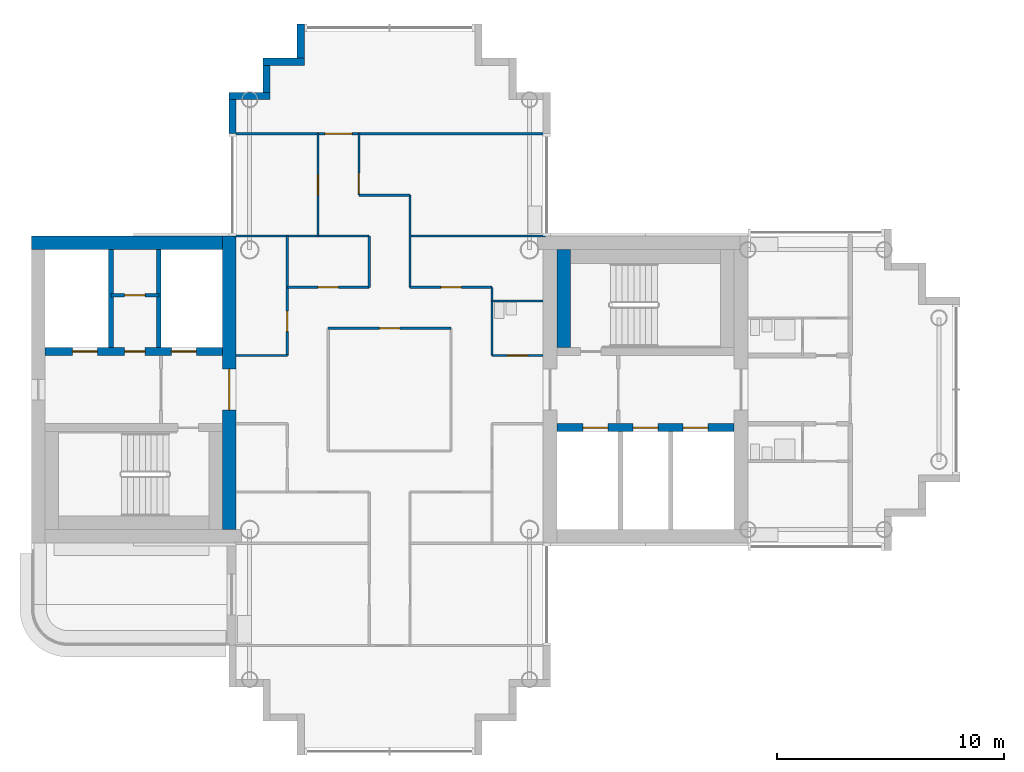
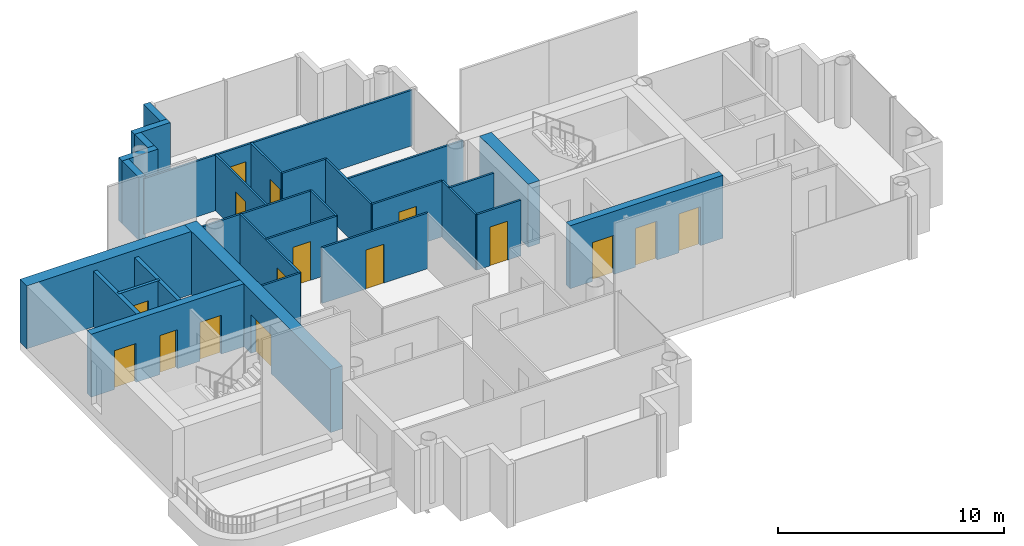
# One storey, part 7 of 18: 29 walls, 16 doors, 16 openings.
"""IFC4 building model written with IfcOpenShell, lengths in metres."""

from ifc_helpers import new_model, si_unit, direction, frame, frame_2d, origin, place, context, subcontext, project, spatial, rectangle, extrude, material, layer, layer_set, type_object, element, fill, save


model = new_model("IFC4")

# Units and contexts
model_context = context("Model", 3, precision=1e-05, world=origin(), true_north=direction((0.0, 1.0)))
body_context = subcontext(model_context, "Body", "Model", "MODEL_VIEW")
ifc_project = project(units=[si_unit("LENGTHUNIT", "METRE"), si_unit("AREAUNIT", "SQUARE_METRE"), si_unit("VOLUMEUNIT", "CUBIC_METRE"), si_unit("PLANEANGLEUNIT", "RADIAN"), si_unit("MASSUNIT", "GRAM", prefix="KILO")], contexts=[model_context])

# Site, building, storey
site_placement = place(None, origin())
site = spatial("IfcSite", under=ifc_project, at=site_placement, CompositionType="ELEMENT")
building_placement = place(site_placement, origin())
building = spatial("IfcBuilding", under=site, at=building_placement, Name="Ipe Terrace Towers", CompositionType="ELEMENT")
storey_placement = place(building_placement, frame((0.0, 0.0, 192.60009765625)))
storey = spatial("IfcBuildingStorey", under=building, at=storey_placement, Name="L53", CompositionType="ELEMENT", Elevation=192.60009765625)

# Walls
ifc_material_1 = material(Name="Concrete C40/50 with buff precast cladding", Category="concrete")
ifc_layer_1 = layer(ifc_material_1, 0.320068359375)
ifc_layer_set_1 = layer_set([ifc_layer_1], Name="BUFF CLADDING WALL 320")
wall_type_1 = type_object("IfcWallType", Name="BUFF CLADDING WALL 320", PredefinedType="STANDARD", material=ifc_layer_set_1)
wall_1_placement = place(storey_placement, frame((-39.909912109375, 16.070068359375, -0.300048828125), z_axis=(0.0, 0.0, 1.0), x_axis=(0.0, -1.0, 0.0)))
element("IfcWall", 1, at=wall_1_placement, inside=storey, type_object=wall_type_1, Name="T1-W-L53-35a wall", PredefinedType="STANDARD", context=body_context, shape_type="SweptSolid", body=[
    extrude(rectangle(XDim=1.5, YDim=0.320068359375, at=frame_2d((0.75, 0.0))), origin(), (0.0, 0.0, 1.0), 3.39990234375),
])
wall_2_placement = place(storey_placement, frame((-39.75, 14.409912109375, -0.300048828125), z_axis=(0.0, 0.0, 1.0), x_axis=(-1.0, 0.0, 0.0)))
element("IfcWall", 2, at=wall_2_placement, inside=storey, type_object=wall_type_1, Name="T1-W-L53-36a wall", PredefinedType="STANDARD", context=body_context, shape_type="SweptSolid", body=[
    extrude(rectangle(XDim=1.820068359375, YDim=0.320068359375, at=frame_2d((0.91015625, 0.0))), origin(), (0.0, 0.0, 1.0), 3.39990234375),
])
wall_3_placement = place(storey_placement, frame((-41.409912109375, 14.25, -0.300048828125), z_axis=(0.0, 0.0, 1.0), x_axis=(0.0, -1.0, 0.0)))
element("IfcWall", 3, at=wall_3_placement, inside=storey, type_object=wall_type_1, Name="T1-W-L53-37a wall", PredefinedType="STANDARD", context=body_context, shape_type="SweptSolid", body=[
    extrude(rectangle(XDim=1.179931640625, YDim=0.320068359375, at=frame_2d((0.58984375, 0.0))), origin(), (0.0, 0.0, 1.0), 3.39990234375),
])
wall_4_placement = place(storey_placement, frame((-41.25, 12.909912109375, -0.300048828125), z_axis=(0.0, 0.0, 1.0), x_axis=(-1.0, 0.0, 0.0)))
element("IfcWall", 4, at=wall_4_placement, inside=storey, type_object=wall_type_1, Name="T1-W-L53-38a wall", PredefinedType="STANDARD", context=body_context, shape_type="SweptSolid", body=[
    extrude(rectangle(XDim=1.820068359375, YDim=0.320068359375, at=frame_2d((0.91015625, 0.0))), origin(), (0.0, 0.0, 1.0), 3.39990234375),
])
wall_5_placement = place(storey_placement, frame((-42.909912109375, 12.75, -0.300048828125), z_axis=(0.0, 0.0, 1.0), x_axis=(0.0, -1.0, 0.0)))
element("IfcWall", 5, at=wall_5_placement, inside=storey, type_object=wall_type_1, Name="T1-W-L53-39a wall", PredefinedType="STANDARD", context=body_context, shape_type="SweptSolid", body=[
    extrude(rectangle(XDim=1.5, YDim=0.320068359375, at=frame_2d((0.75, 0.0))), origin(), (0.0, 0.0, 1.0), 3.39990234375),
])

# Wall, opening, door
ifc_material_2 = material(Name="Gypsum board partition", Category="plasterboard")
ifc_layer_2 = layer(ifc_material_2, 0.10009765625)
ifc_layer_set_2 = layer_set([ifc_layer_2], Name="Gypsum board partition 100 mm")
wall_type_2 = type_object("IfcWallType", Name="Gypsum board partition 100 mm", PredefinedType="PARTITIONING", material=ifc_layer_set_2)
wall_6_placement = place(storey_placement, frame((-40.5, 1.5, 0.0), z_axis=(0.0, 0.0, 1.0), x_axis=(0.0, 1.0, 0.0)))
wall_6 = element("IfcWall", 6, at=wall_6_placement, inside=storey, type_object=wall_type_2, Name="Gypsum board partition T1 L53 W02", PredefinedType="PARTITIONING", context=body_context, shape_type="SweptSolid", body=[
    extrude(rectangle(XDim=5.25, YDim=0.10009765625, at=frame_2d((2.625, 0.0))), origin(), (0.0, 0.0, 1.0), 3.0),
])
opening_1_placement = place(wall_6_placement, frame((1.050048828125, 0.0, 0.0)))
opening_1 = element("IfcOpeningElement", 7, at=opening_1_placement, cuts=wall_6, Name="Opening T1-Z4C-05", PredefinedType="OPENING", context=body_context, shape_type="SweptSolid", body=[
    extrude(rectangle(XDim=0.89990234375, YDim=2.10009765625, at=frame_2d((0.449951171875, 1.050048828125))), frame((0.0, 0.06005859375, 0.0), z_axis=(0.0, -1.0, 0.0), x_axis=(1.0, 0.0, 0.0)), (0.0, 0.0, 1.0), 0.1201171875),
])
ifc_material_3 = material(Name="Timber door leaf", Category="wood")
door_type_1 = type_object("IfcDoorType", Name="Lounge door 900 x 2100", OperationType="NOTDEFINED", PredefinedType="DOOR", material=ifc_material_3)
door_1_placement = place(opening_1_placement, origin())
door_1 = element("IfcDoor", 8, at=door_1_placement, inside=storey, type_object=door_type_1, Name="Lounge door T1-Z4C-05", OperationType="SINGLE_SWING_RIGHT", OverallHeight=2.10009765625, OverallWidth=0.89990234375, PredefinedType="DOOR", context=body_context, shape_type="SweptSolid", body=[
    extrude(rectangle(XDim=0.89990234375, YDim=2.10009765625, at=frame_2d((0.449951171875, 1.050048828125))), frame((0.0, 0.02490234375, 0.0), z_axis=(0.0, -1.0, 0.0), x_axis=(1.0, 0.0, 0.0)), (0.0, 0.0, 1.0), 0.050048828125),
])
fill(opening_1, door_1)

wall_7_placement = place(storey_placement, frame((-39.14990234375, 6.75, 0.0), z_axis=(0.0, 0.0, 1.0), x_axis=(0.0, 1.0, 0.0)))
wall_7 = element("IfcWall", 9, at=wall_7_placement, inside=storey, type_object=wall_type_2, Name="Gypsum board partition T1 L53 W03", PredefinedType="PARTITIONING", context=body_context, shape_type="SweptSolid", body=[
    extrude(rectangle(XDim=4.5, YDim=0.10009765625, at=frame_2d((2.25, 0.0))), origin(), (0.0, 0.0, 1.0), 3.0),
])
opening_2_placement = place(wall_7_placement, frame((1.800048828125, 0.0, 0.0)))
opening_2 = element("IfcOpeningElement", 10, at=opening_2_placement, cuts=wall_7, Name="Opening T1-Z4C-10", PredefinedType="OPENING", context=body_context, shape_type="SweptSolid", body=[
    extrude(rectangle(XDim=0.89990234375, YDim=2.10009765625, at=frame_2d((0.449951171875, 1.050048828125))), frame((0.0, 0.06005859375, 0.0), z_axis=(0.0, -1.0, 0.0), x_axis=(1.0, 0.0, 0.0)), (0.0, 0.0, 1.0), 0.1201171875),
])
door_2_placement = place(opening_2_placement, origin())
door_2 = element("IfcDoor", 11, at=door_2_placement, inside=storey, type_object=door_type_1, Name="Lounge door T1-Z4C-10", OperationType="SINGLE_SWING_LEFT", OverallHeight=2.10009765625, OverallWidth=0.89990234375, PredefinedType="DOOR", context=body_context, shape_type="SweptSolid", body=[
    extrude(rectangle(XDim=0.89990234375, YDim=2.10009765625, at=frame_2d((0.449951171875, 1.050048828125))), frame((0.0, 0.02490234375, 0.0), z_axis=(0.0, -1.0, 0.0), x_axis=(1.0, 0.0, 0.0)), (0.0, 0.0, 1.0), 0.050048828125),
])
fill(opening_2, door_2)

wall_8_placement = place(storey_placement, frame((-37.35009765625, 8.550048828125, 0.0), z_axis=(0.0, 0.0, 1.0), x_axis=(0.0, 1.0, 0.0)))
wall_8 = element("IfcWall", 12, at=wall_8_placement, inside=storey, type_object=wall_type_2, Name="Gypsum board partition T1 L53 W05", PredefinedType="PARTITIONING", context=body_context, shape_type="SweptSolid", body=[
    extrude(rectangle(XDim=2.699951171875, YDim=0.10009765625, at=frame_2d((1.35009765625, 0.0))), origin(), (0.0, 0.0, 1.0), 3.0),
])
opening_3_placement = place(wall_8_placement, frame((0.070068359375, 0.0, 0.0)))
opening_3 = element("IfcOpeningElement", 13, at=opening_3_placement, cuts=wall_8, Name="Opening T1-Z4C-11", PredefinedType="OPENING", context=body_context, shape_type="SweptSolid", body=[
    extrude(rectangle(XDim=0.89990234375, YDim=2.10009765625, at=frame_2d((0.449951171875, 1.050048828125))), frame((0.0, 0.06005859375, 0.0), z_axis=(0.0, -1.0, 0.0), x_axis=(1.0, 0.0, 0.0)), (0.0, 0.0, 1.0), 0.1201171875),
])
door_3_placement = place(opening_3_placement, origin())
door_3 = element("IfcDoor", 14, at=door_3_placement, inside=storey, type_object=door_type_1, Name="Lounge door T1-Z4C-11", OperationType="SINGLE_SWING_LEFT", OverallHeight=2.10009765625, OverallWidth=0.89990234375, PredefinedType="DOOR", context=body_context, shape_type="SweptSolid", body=[
    extrude(rectangle(XDim=0.89990234375, YDim=2.10009765625, at=frame_2d((0.449951171875, 1.050048828125))), frame((0.0, 0.02490234375, 0.0), z_axis=(0.0, -1.0, 0.0), x_axis=(1.0, 0.0, 0.0)), (0.0, 0.0, 1.0), 0.050048828125),
])
fill(opening_3, door_3)

# Walls
wall_9_placement = place(storey_placement, frame((-36.89990234375, 4.5, 0.0), z_axis=(0.0, 0.0, 1.0), x_axis=(0.0, 1.0, 0.0)))
element("IfcWall", 15, at=wall_9_placement, inside=storey, type_object=wall_type_2, Name="Gypsum board partition T1 L53 W07", PredefinedType="PARTITIONING", context=body_context, shape_type="SweptSolid", body=[
    extrude(rectangle(XDim=2.25, YDim=0.10009765625, at=frame_2d((1.125, 0.0))), origin(), (0.0, 0.0, 1.0), 3.0),
])
wall_10_placement = place(storey_placement, frame((-35.10009765625, 4.5, 0.0), z_axis=(0.0, 0.0, 1.0), x_axis=(0.0, 1.0, 0.0)))
element("IfcWall", 16, at=wall_10_placement, inside=storey, type_object=wall_type_2, Name="Gypsum board partition T1 L53 W09", PredefinedType="PARTITIONING", context=body_context, shape_type="SweptSolid", body=[
    extrude(rectangle(XDim=4.050048828125, YDim=0.10009765625, at=frame_2d((2.02490234375, 0.0))), origin(), (0.0, 0.0, 1.0), 3.0),
])
wall_11_placement = place(storey_placement, frame((-31.5, 1.5, 0.0), z_axis=(0.0, 0.0, 1.0), x_axis=(0.0, 1.0, 0.0)))
element("IfcWall", 17, at=wall_11_placement, inside=storey, type_object=wall_type_2, Name="Gypsum board partition T1 L53 W12", PredefinedType="PARTITIONING", context=body_context, shape_type="SweptSolid", body=[
    extrude(rectangle(XDim=3.0, YDim=0.10009765625, at=frame_2d((1.5, 0.0))), origin(), (0.0, 0.0, 1.0), 3.0),
])
wall_12_placement = place(storey_placement, frame((-42.75, 1.5, 0.0), z_axis=(0.0, 0.0, 1.0), x_axis=(1.0, 0.0, 0.0)))
element("IfcWall", 18, at=wall_12_placement, inside=storey, type_object=wall_type_2, Name="Gypsum board partition T1 L53 W28", PredefinedType="PARTITIONING", context=body_context, shape_type="SweptSolid", body=[
    extrude(rectangle(XDim=2.25, YDim=0.10009765625, at=frame_2d((1.125, 0.0))), origin(), (0.0, 0.0, 1.0), 3.0),
])

# Wall, opening, door
wall_13_placement = place(storey_placement, frame((-31.5, 1.5, 0.0), z_axis=(0.0, 0.0, 1.0), x_axis=(1.0, 0.0, 0.0)))
wall_13 = element("IfcWall", 19, at=wall_13_placement, inside=storey, type_object=wall_type_2, Name="Gypsum board partition T1 L53 W29", PredefinedType="PARTITIONING", context=body_context, shape_type="SweptSolid", body=[
    extrude(rectangle(XDim=2.25, YDim=0.10009765625, at=frame_2d((1.125, 0.0))), origin(), (0.0, 0.0, 1.0), 3.0),
])
opening_4_placement = place(wall_13_placement, frame((0.675048828125, 0.0, 0.0)))
opening_4 = element("IfcOpeningElement", 20, at=opening_4_placement, cuts=wall_13, Name="Opening T1-Z4C-02", PredefinedType="OPENING", context=body_context, shape_type="SweptSolid", body=[
    extrude(rectangle(XDim=0.89990234375, YDim=2.10009765625, at=frame_2d((0.449951171875, 1.050048828125))), frame((0.0, 0.06005859375, 0.0), z_axis=(0.0, -1.0, 0.0), x_axis=(1.0, 0.0, 0.0)), (0.0, 0.0, 1.0), 0.1201171875),
])
ifc_material_4 = material(Name="Timber door leaf", Category="wood")
door_type_2 = type_object("IfcDoorType", Name="Bathroom door 900 x 2100", OperationType="NOTDEFINED", PredefinedType="DOOR", material=ifc_material_4)
door_4_placement = place(opening_4_placement, origin())
door_4 = element("IfcDoor", 21, at=door_4_placement, inside=storey, type_object=door_type_2, Name="Bathroom door T1-Z4C-02", OperationType="SINGLE_SWING_LEFT", OverallHeight=2.10009765625, OverallWidth=0.89990234375, PredefinedType="DOOR", context=body_context, shape_type="SweptSolid", body=[
    extrude(rectangle(XDim=0.89990234375, YDim=2.10009765625, at=frame_2d((0.449951171875, 1.050048828125))), frame((0.0, 0.02490234375, 0.0), z_axis=(0.0, -1.0, 0.0), x_axis=(1.0, 0.0, 0.0)), (0.0, 0.0, 1.0), 0.050048828125),
])
fill(opening_4, door_4)

wall_14_placement = place(storey_placement, frame((-38.699951171875, 2.699951171875, 0.0), z_axis=(0.0, 0.0, 1.0), x_axis=(1.0, 0.0, 0.0)))
wall_14 = element("IfcWall", 22, at=wall_14_placement, inside=storey, type_object=wall_type_2, Name="Gypsum board partition T1 L53 W31", PredefinedType="PARTITIONING", context=body_context, shape_type="SweptSolid", body=[
    extrude(rectangle(XDim=5.39990234375, YDim=0.10009765625, at=frame_2d((2.699951171875, 0.0))), origin(), (0.0, 0.0, 1.0), 3.0),
])
opening_5_placement = place(wall_14_placement, frame((2.25, 0.0, 0.0)))
opening_5 = element("IfcOpeningElement", 23, at=opening_5_placement, cuts=wall_14, Name="Opening T1-Z4C-01", PredefinedType="OPENING", context=body_context, shape_type="SweptSolid", body=[
    extrude(rectangle(XDim=0.89990234375, YDim=2.10009765625, at=frame_2d((0.449951171875, 1.050048828125))), frame((0.0, 0.06005859375, 0.0), z_axis=(0.0, -1.0, 0.0), x_axis=(1.0, 0.0, 0.0)), (0.0, 0.0, 1.0), 0.1201171875),
])
door_5_placement = place(opening_5_placement, origin())
door_5 = element("IfcDoor", 24, at=door_5_placement, inside=storey, type_object=door_type_1, Name="Lounge door T1-Z4C-01", OperationType="SINGLE_SWING_RIGHT", OverallHeight=2.10009765625, OverallWidth=0.89990234375, PredefinedType="DOOR", context=body_context, shape_type="SweptSolid", body=[
    extrude(rectangle(XDim=0.89990234375, YDim=2.10009765625, at=frame_2d((0.449951171875, 1.050048828125))), frame((0.0, 0.02490234375, 0.0), z_axis=(0.0, -1.0, 0.0), x_axis=(1.0, 0.0, 0.0)), (0.0, 0.0, 1.0), 0.050048828125),
])
fill(opening_5, door_5)

# Wall
wall_15_placement = place(storey_placement, frame((-31.5, 3.89990234375, 0.0), z_axis=(0.0, 0.0, 1.0), x_axis=(1.0, 0.0, 0.0)))
element("IfcWall", 25, at=wall_15_placement, inside=storey, type_object=wall_type_2, Name="Gypsum board partition T1 L53 W33", PredefinedType="PARTITIONING", context=body_context, shape_type="SweptSolid", body=[
    extrude(rectangle(XDim=2.25, YDim=0.10009765625, at=frame_2d((1.125, 0.0))), origin(), (0.0, 0.0, 1.0), 3.0),
])

# Wall, opening, door
wall_16_placement = place(storey_placement, frame((-40.5, 4.5, 0.0), z_axis=(0.0, 0.0, 1.0), x_axis=(1.0, 0.0, 0.0)))
wall_16 = element("IfcWall", 26, at=wall_16_placement, inside=storey, type_object=wall_type_2, Name="Gypsum board partition T1 L53 W34", PredefinedType="PARTITIONING", context=body_context, shape_type="SweptSolid", body=[
    extrude(rectangle(XDim=3.60009765625, YDim=0.10009765625, at=frame_2d((1.800048828125, 0.0))), origin(), (0.0, 0.0, 1.0), 3.0),
])
opening_6_placement = place(wall_16_placement, frame((1.35009765625, 0.0, 0.0)))
opening_6 = element("IfcOpeningElement", 27, at=opening_6_placement, cuts=wall_16, Name="Opening T1-Z4C-04", PredefinedType="OPENING", context=body_context, shape_type="SweptSolid", body=[
    extrude(rectangle(XDim=0.89990234375, YDim=2.10009765625, at=frame_2d((0.449951171875, 1.050048828125))), frame((0.0, 0.06005859375, 0.0), z_axis=(0.0, -1.0, 0.0), x_axis=(1.0, 0.0, 0.0)), (0.0, 0.0, 1.0), 0.1201171875),
])
door_6_placement = place(opening_6_placement, origin())
door_6 = element("IfcDoor", 28, at=door_6_placement, inside=storey, type_object=door_type_1, Name="Lounge door T1-Z4C-04", OperationType="SINGLE_SWING_RIGHT", OverallHeight=2.10009765625, OverallWidth=0.89990234375, PredefinedType="DOOR", context=body_context, shape_type="SweptSolid", body=[
    extrude(rectangle(XDim=0.89990234375, YDim=2.10009765625, at=frame_2d((0.449951171875, 1.050048828125))), frame((0.0, 0.02490234375, 0.0), z_axis=(0.0, -1.0, 0.0), x_axis=(1.0, 0.0, 0.0)), (0.0, 0.0, 1.0), 0.050048828125),
])
fill(opening_6, door_6)

wall_17_placement = place(storey_placement, frame((-35.10009765625, 4.5, 0.0), z_axis=(0.0, 0.0, 1.0), x_axis=(1.0, 0.0, 0.0)))
wall_17 = element("IfcWall", 29, at=wall_17_placement, inside=storey, type_object=wall_type_2, Name="Gypsum board partition T1 L53 W35", PredefinedType="PARTITIONING", context=body_context, shape_type="SweptSolid", body=[
    extrude(rectangle(XDim=3.60009765625, YDim=0.10009765625, at=frame_2d((1.800048828125, 0.0))), origin(), (0.0, 0.0, 1.0), 3.0),
])
opening_7_placement = place(wall_17_placement, frame((1.35009765625, 0.0, 0.0)))
opening_7 = element("IfcOpeningElement", 30, at=opening_7_placement, cuts=wall_17, Name="Opening T1-Z4C-03", PredefinedType="OPENING", context=body_context, shape_type="SweptSolid", body=[
    extrude(rectangle(XDim=0.89990234375, YDim=2.10009765625, at=frame_2d((0.449951171875, 1.050048828125))), frame((0.0, 0.06005859375, 0.0), z_axis=(0.0, -1.0, 0.0), x_axis=(1.0, 0.0, 0.0)), (0.0, 0.0, 1.0), 0.1201171875),
])
door_7_placement = place(opening_7_placement, origin())
door_7 = element("IfcDoor", 31, at=door_7_placement, inside=storey, type_object=door_type_1, Name="Lounge door T1-Z4C-03", OperationType="SINGLE_SWING_LEFT", OverallHeight=2.10009765625, OverallWidth=0.89990234375, PredefinedType="DOOR", context=body_context, shape_type="SweptSolid", body=[
    extrude(rectangle(XDim=0.89990234375, YDim=2.10009765625, at=frame_2d((0.449951171875, 1.050048828125))), frame((0.0, 0.02490234375, 0.0), z_axis=(0.0, -1.0, 0.0), x_axis=(1.0, 0.0, 0.0)), (0.0, 0.0, 1.0), 0.050048828125),
])
fill(opening_7, door_7)

# Walls
for number, where, z_axis, x_axis, name in (
    (32, (-42.85009765625, 6.75, 0.0), (0.0, 0.0, 1.0), (1.0, 0.0, 0.0), "Gypsum board partition T1 L53 W36"),
    (33, (-35.10009765625, 6.75, 0.0), (0.0, 0.0, 1.0), (1.0, 0.0, 0.0), "Gypsum board partition T1 L53 W37"),
):
    element("IfcWall", number, at=place(storey_placement, frame(where, z_axis=z_axis, x_axis=x_axis)), inside=storey, type_object=wall_type_2, Name=name, PredefinedType="PARTITIONING", context=body_context, shape_type="SweptSolid", body=[
        extrude(rectangle(XDim=5.9501953125, YDim=0.10009765625, at=frame_2d((2.97509765625, 0.0))), origin(), (0.0, 0.0, 1.0), 3.0),
    ])
wall_18_placement = place(storey_placement, frame((-37.35009765625, 8.550048828125, 0.0), z_axis=(0.0, 0.0, 1.0), x_axis=(1.0, 0.0, 0.0)))
element("IfcWall", 34, at=wall_18_placement, inside=storey, type_object=wall_type_2, Name="Gypsum board partition T1 L53 W38", PredefinedType="PARTITIONING", context=body_context, shape_type="SweptSolid", body=[
    extrude(rectangle(XDim=2.25, YDim=0.10009765625, at=frame_2d((1.125, 0.0))), origin(), (0.0, 0.0, 1.0), 3.0),
])

# Wall, opening, door
wall_19_placement = place(storey_placement, frame((-42.85009765625, 11.25, 0.0), z_axis=(0.0, 0.0, 1.0), x_axis=(1.0, 0.0, 0.0)))
wall_19 = element("IfcWall", 35, at=wall_19_placement, inside=storey, type_object=wall_type_2, Name="Gypsum board partition T1 L53 W39", PredefinedType="PARTITIONING", context=body_context, shape_type="SweptSolid", body=[
    extrude(rectangle(XDim=13.7001953125, YDim=0.10009765625, at=frame_2d((6.85009765625, 0.0))), origin(), (0.0, 0.0, 1.0), 3.0),
])
opening_8_placement = place(wall_19_placement, frame((4.0, 0.0, 0.0)))
opening_8 = element("IfcOpeningElement", 36, at=opening_8_placement, cuts=wall_19, Name="Opening T1-Z4C-12", PredefinedType="OPENING", context=body_context, shape_type="SweptSolid", body=[
    extrude(rectangle(XDim=1.199951171875, YDim=2.10009765625, at=frame_2d((0.60009765625, 1.050048828125))), frame((0.0, 0.06005859375, 0.0), z_axis=(0.0, -1.0, 0.0), x_axis=(1.0, 0.0, 0.0)), (0.0, 0.0, 1.0), 0.1201171875),
])
ifc_material_5 = material(Name="Timber door leaf", Category="wood")
door_type_3 = type_object("IfcDoorType", Name="Lounge door 1200 x 2100", OperationType="NOTDEFINED", PredefinedType="DOOR", material=ifc_material_5)
door_8_placement = place(opening_8_placement, origin())
door_8 = element("IfcDoor", 37, at=door_8_placement, inside=storey, type_object=door_type_3, Name="Lounge door T1-Z4C-12", OperationType="SINGLE_SWING_RIGHT", OverallHeight=2.10009765625, OverallWidth=1.199951171875, PredefinedType="DOOR", context=body_context, shape_type="SweptSolid", body=[
    extrude(rectangle(XDim=1.199951171875, YDim=2.10009765625, at=frame_2d((0.60009765625, 1.050048828125))), frame((0.0, 0.02490234375, 0.0), z_axis=(0.0, -1.0, 0.0), x_axis=(1.0, 0.0, 0.0)), (0.0, 0.0, 1.0), 0.050048828125),
])
fill(opening_8, door_8)

ifc_material_6 = material(Name="Gypsum board partition", Category="plasterboard")
ifc_layer_3 = layer(ifc_material_6, 0.14990234375)
ifc_layer_set_3 = layer_set([ifc_layer_3], Name="Gypsum board partition 150 mm")
wall_type_3 = type_object("IfcWallType", Name="Gypsum board partition 150 mm", PredefinedType="PARTITIONING", material=ifc_layer_set_3)
wall_20_placement = place(storey_placement, frame((-46.14990234375, 4.14990234375, 0.0), z_axis=(0.0, 0.0, 1.0), x_axis=(-1.0, 0.0, 0.0)))
wall_20 = element("IfcWall", 38, at=wall_20_placement, inside=storey, type_object=wall_type_3, Name="Gypsum board partition T1 L53 t1c2-q-back", PredefinedType="PARTITIONING", context=body_context, shape_type="SweptSolid", body=[
    extrude(rectangle(XDim=2.10009765625, YDim=0.14990234375, at=frame_2d((1.050048828125, 0.0))), origin(), (0.0, 0.0, 1.0), 3.0),
])
opening_9_placement = place(wall_20_placement, frame((0.60009765625, 0.0, 0.0)))
opening_9 = element("IfcOpeningElement", 39, at=opening_9_placement, cuts=wall_20, Name="Opening T1C2-RB-FD30S", PredefinedType="OPENING", context=body_context, shape_type="SweptSolid", body=[
    extrude(rectangle(XDim=0.89990234375, YDim=2.10009765625, at=frame_2d((0.449951171875, 1.050048828125))), frame((0.0, 0.0849609375, 0.0), z_axis=(0.0, -1.0, 0.0), x_axis=(1.0, 0.0, 0.0)), (0.0, 0.0, 1.0), 0.169921875),
])
ifc_material_7 = material(Name="Fire-rated timber door leaf", Category="wood")
door_type_4 = type_object("IfcDoorType", Name="Service door 900 x 2100 FD30S", OperationType="NOTDEFINED", PredefinedType="DOOR", material=ifc_material_7)
door_9_placement = place(opening_9_placement, origin())
door_9 = element("IfcDoor", 40, at=door_9_placement, inside=storey, type_object=door_type_4, Name="Service door T1C2-RB-FD30S", OperationType="SINGLE_SWING_LEFT", OverallHeight=2.10009765625, OverallWidth=0.89990234375, PredefinedType="DOOR", context=body_context, shape_type="SweptSolid", body=[
    extrude(rectangle(XDim=0.89990234375, YDim=2.10009765625, at=frame_2d((0.449951171875, 1.050048828125))), frame((0.0, 0.02490234375, 0.0), z_axis=(0.0, -1.0, 0.0), x_axis=(1.0, 0.0, 0.0)), (0.0, 0.0, 1.0), 0.050048828125),
])
fill(opening_9, door_9)

# Walls
ifc_material_8 = material(Name="Gypsum board party wall", Category="plasterboard")
ifc_layer_4 = layer(ifc_material_8, 0.199951171875)
ifc_layer_set_4 = layer_set([ifc_layer_4], Name="Gypsum board party wall 200 mm")
wall_type_4 = type_object("IfcWallType", Name="Gypsum board party wall 200 mm", PredefinedType="SOLIDWALL", material=ifc_layer_set_4)
for number, where, z_axis, x_axis, name in (
    (41, (-48.25, 6.14990234375, 0.0), (0.0, 0.0, 1.0), (0.0, -1.0, 0.0), "Gypsum board party wall T1 L53 t1c2-shaft-div2"),
    (42, (-46.14990234375, 6.14990234375, 0.0), (0.0, 0.0, 1.0), (0.0, -1.0, 0.0), "Gypsum board party wall T1 L53 t1c2-shaft-div1"),
):
    element("IfcWall", number, at=place(storey_placement, frame(where, z_axis=z_axis, x_axis=x_axis)), inside=storey, type_object=wall_type_4, Name=name, PredefinedType="SOLIDWALL", context=body_context, shape_type="SweptSolid", body=[
        extrude(rectangle(XDim=4.2998046875, YDim=0.199951171875, at=frame_2d((2.14990234375, 0.0))), origin(), (0.0, 0.0, 1.0), 3.0),
    ])

# Wall, openings, doors
ifc_material_9 = material(Name="Concrete C40/50", Category="concrete")
ifc_layer_5 = layer(ifc_material_9, 0.35009765625)
ifc_layer_set_5 = layer_set([ifc_layer_5], Name="RW350 CORE SPINE WALL 350 C40-50")
wall_type_5 = type_object("IfcWallType", Name="RW350 CORE SPINE WALL 350 C40-50", PredefinedType="SHEAR", material=ifc_layer_set_5)
wall_21_placement = place(storey_placement, frame((-28.64990234375, -1.675048828125, 0.0), z_axis=(0.0, 0.0, 1.0), x_axis=(1.0, 0.0, 0.0)))
wall_21 = element("IfcWall", 43, at=wall_21_placement, inside=storey, type_object=wall_type_5, Name="Core spine wall T1-C1-Z4-SW1", PredefinedType="SHEAR", context=body_context, shape_type="SweptSolid", body=[
    extrude(rectangle(XDim=7.7998046875, YDim=0.35009765625, at=frame_2d((3.89990234375, 0.0))), origin(), (0.0, 0.0, 1.0), 3.39990234375),
])
opening_10_placement = place(wall_21_placement, frame((1.14990234375, 0.0, 0.0)))
opening_10 = element("IfcOpeningElement", 44, at=opening_10_placement, cuts=wall_21, Name="Opening T1C1-LD1", PredefinedType="OPENING", context=body_context, shape_type="SweptSolid", body=[
    extrude(rectangle(XDim=1.10009765625, YDim=2.10009765625, at=frame_2d((0.550048828125, 1.050048828125))), frame((0.0, 0.18505859375, 0.0), z_axis=(0.0, -1.0, 0.0), x_axis=(1.0, 0.0, 0.0)), (0.0, 0.0, 1.0), 0.3701171875),
])
opening_11_placement = place(wall_21_placement, frame((3.35009765625, 0.0, 0.0)))
opening_11 = element("IfcOpeningElement", 45, at=opening_11_placement, cuts=wall_21, Name="Opening T1C1-LD2", PredefinedType="OPENING", context=body_context, shape_type="SweptSolid", body=[
    extrude(rectangle(XDim=1.10009765625, YDim=2.10009765625, at=frame_2d((0.550048828125, 1.050048828125))), frame((0.0, 0.18505859375, 0.0), z_axis=(0.0, -1.0, 0.0), x_axis=(1.0, 0.0, 0.0)), (0.0, 0.0, 1.0), 0.3701171875),
])
opening_12_placement = place(wall_21_placement, frame((5.550048828125, 0.0, 0.0)))
opening_12 = element("IfcOpeningElement", 46, at=opening_12_placement, cuts=wall_21, Name="Opening T1C1-LD3", PredefinedType="OPENING", context=body_context, shape_type="SweptSolid", body=[
    extrude(rectangle(XDim=1.10009765625, YDim=2.10009765625, at=frame_2d((0.550048828125, 1.050048828125))), frame((0.0, 0.18505859375, 0.0), z_axis=(0.0, -1.0, 0.0), x_axis=(1.0, 0.0, 0.0)), (0.0, 0.0, 1.0), 0.3701171875),
])
ifc_material_10 = material(Name="Fire-rated timber door leaf", Category="wood")
door_type_5 = type_object("IfcDoorType", Name="Sliding door 1100 x 2100 FD60", OperationType="SLIDING_TO_LEFT", PredefinedType="DOOR", material=ifc_material_10)
door_10_placement = place(opening_10_placement, origin())
door_10 = element("IfcDoor", 47, at=door_10_placement, inside=storey, type_object=door_type_5, Name="Sliding door T1C1-LD1", OperationType="SLIDING_TO_LEFT", OverallHeight=2.10009765625, OverallWidth=1.10009765625, PredefinedType="DOOR", context=body_context, shape_type="SweptSolid", body=[
    extrude(rectangle(XDim=1.10009765625, YDim=2.10009765625, at=frame_2d((0.550048828125, 1.050048828125))), frame((0.0, 0.02490234375, 0.0), z_axis=(0.0, -1.0, 0.0), x_axis=(1.0, 0.0, 0.0)), (0.0, 0.0, 1.0), 0.050048828125),
])
fill(opening_10, door_10)
door_11_placement = place(opening_11_placement, origin())
door_11 = element("IfcDoor", 48, at=door_11_placement, inside=storey, type_object=door_type_5, Name="Sliding door T1C1-LD2", OperationType="SLIDING_TO_LEFT", OverallHeight=2.10009765625, OverallWidth=1.10009765625, PredefinedType="DOOR", context=body_context, shape_type="SweptSolid", body=[
    extrude(rectangle(XDim=1.10009765625, YDim=2.10009765625, at=frame_2d((0.550048828125, 1.050048828125))), frame((0.0, 0.02490234375, 0.0), z_axis=(0.0, -1.0, 0.0), x_axis=(1.0, 0.0, 0.0)), (0.0, 0.0, 1.0), 0.050048828125),
])
fill(opening_11, door_11)
door_12_placement = place(opening_12_placement, origin())
door_12 = element("IfcDoor", 49, at=door_12_placement, inside=storey, type_object=door_type_5, Name="Sliding door T1C1-LD3", OperationType="SLIDING_TO_LEFT", OverallHeight=2.10009765625, OverallWidth=1.10009765625, PredefinedType="DOOR", context=body_context, shape_type="SweptSolid", body=[
    extrude(rectangle(XDim=1.10009765625, YDim=2.10009765625, at=frame_2d((0.550048828125, 1.050048828125))), frame((0.0, 0.02490234375, 0.0), z_axis=(0.0, -1.0, 0.0), x_axis=(1.0, 0.0, 0.0)), (0.0, 0.0, 1.0), 0.050048828125),
])
fill(opening_12, door_12)

wall_22_placement = place(storey_placement, frame((-51.14990234375, 1.675048828125, 0.0), z_axis=(0.0, 0.0, 1.0), x_axis=(1.0, 0.0, 0.0)))
wall_22 = element("IfcWall", 50, at=wall_22_placement, inside=storey, type_object=wall_type_5, Name="Core spine wall T1-C2-Z4-SW2", PredefinedType="SHEAR", context=body_context, shape_type="SweptSolid", body=[
    extrude(rectangle(XDim=7.7998046875, YDim=0.35009765625, at=frame_2d((3.89990234375, 0.0))), origin(), (0.0, 0.0, 1.0), 3.39990234375),
])
opening_13_placement = place(wall_22_placement, frame((5.550048828125, 0.0, 0.0)))
opening_13 = element("IfcOpeningElement", 51, at=opening_13_placement, cuts=wall_22, Name="Opening T1C2-LD1", PredefinedType="OPENING", context=body_context, shape_type="SweptSolid", body=[
    extrude(rectangle(XDim=1.10009765625, YDim=2.10009765625, at=frame_2d((0.550048828125, 1.050048828125))), frame((0.0, 0.18505859375, 0.0), z_axis=(0.0, -1.0, 0.0), x_axis=(1.0, 0.0, 0.0)), (0.0, 0.0, 1.0), 0.3701171875),
])
opening_14_placement = place(wall_22_placement, frame((1.199951171875, 0.0, 0.0)))
opening_14 = element("IfcOpeningElement", 52, at=opening_14_placement, cuts=wall_22, Name="Opening T1C2-LD3", PredefinedType="OPENING", context=body_context, shape_type="SweptSolid", body=[
    extrude(rectangle(XDim=1.10009765625, YDim=2.10009765625, at=frame_2d((0.550048828125, 1.050048828125))), frame((0.0, 0.18505859375, 0.0), z_axis=(0.0, -1.0, 0.0), x_axis=(1.0, 0.0, 0.0)), (0.0, 0.0, 1.0), 0.3701171875),
])
opening_15_placement = place(wall_22_placement, frame((3.5, 0.0, 0.0)))
opening_15 = element("IfcOpeningElement", 53, at=opening_15_placement, cuts=wall_22, Name="Opening T1C2-R1-NR", PredefinedType="OPENING", context=body_context, shape_type="SweptSolid", body=[
    extrude(rectangle(XDim=0.89990234375, YDim=2.10009765625, at=frame_2d((0.449951171875, 1.050048828125))), frame((0.0, 0.18505859375, 0.0), z_axis=(0.0, -1.0, 0.0), x_axis=(1.0, 0.0, 0.0)), (0.0, 0.0, 1.0), 0.3701171875),
])
door_13_placement = place(opening_13_placement, origin())
door_13 = element("IfcDoor", 54, at=door_13_placement, inside=storey, type_object=door_type_5, Name="Sliding door T1C2-LD1", OperationType="SLIDING_TO_LEFT", OverallHeight=2.10009765625, OverallWidth=1.10009765625, PredefinedType="DOOR", context=body_context, shape_type="SweptSolid", body=[
    extrude(rectangle(XDim=1.10009765625, YDim=2.10009765625, at=frame_2d((0.550048828125, 1.050048828125))), frame((0.0, 0.02490234375, 0.0), z_axis=(0.0, -1.0, 0.0), x_axis=(1.0, 0.0, 0.0)), (0.0, 0.0, 1.0), 0.050048828125),
])
fill(opening_13, door_13)
door_14_placement = place(opening_14_placement, origin())
door_14 = element("IfcDoor", 55, at=door_14_placement, inside=storey, type_object=door_type_5, Name="Sliding door T1C2-LD3", OperationType="SLIDING_TO_LEFT", OverallHeight=2.10009765625, OverallWidth=1.10009765625, PredefinedType="DOOR", context=body_context, shape_type="SweptSolid", body=[
    extrude(rectangle(XDim=1.10009765625, YDim=2.10009765625, at=frame_2d((0.550048828125, 1.050048828125))), frame((0.0, 0.02490234375, 0.0), z_axis=(0.0, -1.0, 0.0), x_axis=(1.0, 0.0, 0.0)), (0.0, 0.0, 1.0), 0.050048828125),
])
fill(opening_14, door_14)
ifc_material_11 = material(Name="Timber door leaf", Category="wood")
door_type_6 = type_object("IfcDoorType", Name="Store door 900 x 2100", OperationType="NOTDEFINED", PredefinedType="DOOR", material=ifc_material_11)
door_15_placement = place(opening_15_placement, origin())
door_15 = element("IfcDoor", 56, at=door_15_placement, inside=storey, type_object=door_type_6, Name="Store door T1C2-R1-NR", OperationType="SINGLE_SWING_LEFT", OverallHeight=2.10009765625, OverallWidth=0.89990234375, PredefinedType="DOOR", context=body_context, shape_type="SweptSolid", body=[
    extrude(rectangle(XDim=0.89990234375, YDim=2.10009765625, at=frame_2d((0.449951171875, 1.050048828125))), frame((0.0, 0.02490234375, 0.0), z_axis=(0.0, -1.0, 0.0), x_axis=(1.0, 0.0, 0.0)), (0.0, 0.0, 1.0), 0.050048828125),
])
fill(opening_15, door_15)

# Wall
ifc_material_12 = material(Name="Concrete C40/50", Category="concrete")
ifc_layer_6 = layer(ifc_material_12, 0.60009765625)
ifc_layer_set_6 = layer_set([ifc_layer_6], Name="RW600 CORE INFILL WALL 600 C40-50")
wall_type_6 = type_object("IfcWallType", Name="RW600 CORE INFILL WALL 600 C40-50", PredefinedType="SHEAR", material=ifc_layer_set_6)
wall_23_placement = place(storey_placement, frame((-28.35009765625, 1.85009765625, 0.0), z_axis=(0.0, 0.0, 1.0), x_axis=(0.0, 1.0, 0.0)))
element("IfcWall", 57, at=wall_23_placement, inside=storey, type_object=wall_type_6, Name="Core infill wall T1-C1-near", PredefinedType="SHEAR", context=body_context, shape_type="SweptSolid", body=[
    extrude(rectangle(XDim=4.2998046875, YDim=0.60009765625, at=frame_2d((2.14990234375, 0.0))), origin(), (0.0, 0.0, 1.0), 3.39990234375),
])

# Wall, opening, door
ifc_material_13 = material(Name="Concrete C40/50", Category="concrete")
ifc_layer_7 = layer(ifc_material_13, 0.60009765625)
ifc_layer_set_7 = layer_set([ifc_layer_7], Name="RW600 CORE WALL 600 C40-50")
wall_type_7 = type_object("IfcWallType", Name="RW600 CORE WALL 600 C40-50", PredefinedType="SHEAR", material=ifc_layer_set_7)
wall_24_placement = place(storey_placement, frame((-43.050048828125, -6.14990234375, 0.0), z_axis=(0.0, 0.0, 1.0), x_axis=(0.0, 1.0, 0.0)))
wall_24 = element("IfcWall", 58, at=wall_24_placement, inside=storey, type_object=wall_type_7, Name="Core wall T1-C2-Z4-W02", PredefinedType="SHEAR", context=body_context, shape_type="SweptSolid", body=[
    extrude(rectangle(XDim=12.89990234375, YDim=0.60009765625, at=frame_2d((6.449951171875, 0.0))), origin(), (0.0, 0.0, 1.0), 3.39990234375),
])
opening_16_placement = place(wall_24_placement, frame((5.25, 0.0, 0.0)))
opening_16 = element("IfcOpeningElement", 59, at=opening_16_placement, cuts=wall_24, Name="Opening T1C2-ND", PredefinedType="OPENING", context=body_context, shape_type="SweptSolid", body=[
    extrude(rectangle(XDim=1.800048828125, YDim=2.10009765625, at=frame_2d((0.89990234375, 1.050048828125))), frame((0.0, 0.31005859375, 0.0), z_axis=(0.0, -1.0, 0.0), x_axis=(1.0, 0.0, 0.0)), (0.0, 0.0, 1.0), 0.6201171875),
])
ifc_material_14 = material(Name="Fire-rated timber door leaf", Category="wood")
door_type_7 = type_object("IfcDoorType", Name="Fire door 1800 x 2100 FD30S", OperationType="NOTDEFINED", PredefinedType="DOOR", material=ifc_material_14)
door_16_placement = place(opening_16_placement, origin())
door_16 = element("IfcDoor", 60, at=door_16_placement, inside=storey, type_object=door_type_7, Name="Fire door T1C2-ND", OperationType="SINGLE_SWING_LEFT", OverallHeight=2.10009765625, OverallWidth=1.800048828125, PredefinedType="DOOR", context=body_context, shape_type="SweptSolid", body=[
    extrude(rectangle(XDim=1.800048828125, YDim=2.10009765625, at=frame_2d((0.89990234375, 1.050048828125))), frame((0.0, 0.02490234375, 0.0), z_axis=(0.0, -1.0, 0.0), x_axis=(1.0, 0.0, 0.0)), (0.0, 0.0, 1.0), 0.050048828125),
])
fill(opening_16, door_16)

# Wall
wall_25_placement = place(storey_placement, frame((-43.35009765625, 6.449951171875, 0.0), z_axis=(0.0, 0.0, 1.0), x_axis=(-1.0, 0.0, 0.0)))
element("IfcWall", 61, at=wall_25_placement, inside=storey, type_object=wall_type_7, Name="Core wall T1-C2-Z4-W03", PredefinedType="SHEAR", context=body_context, shape_type="SweptSolid", body=[
    extrude(rectangle(XDim=8.39990234375, YDim=0.60009765625, at=frame_2d((4.199951171875, 0.0))), origin(), (0.0, 0.0, 1.0), 3.39990234375),
])

save(model, "model.ifc")
